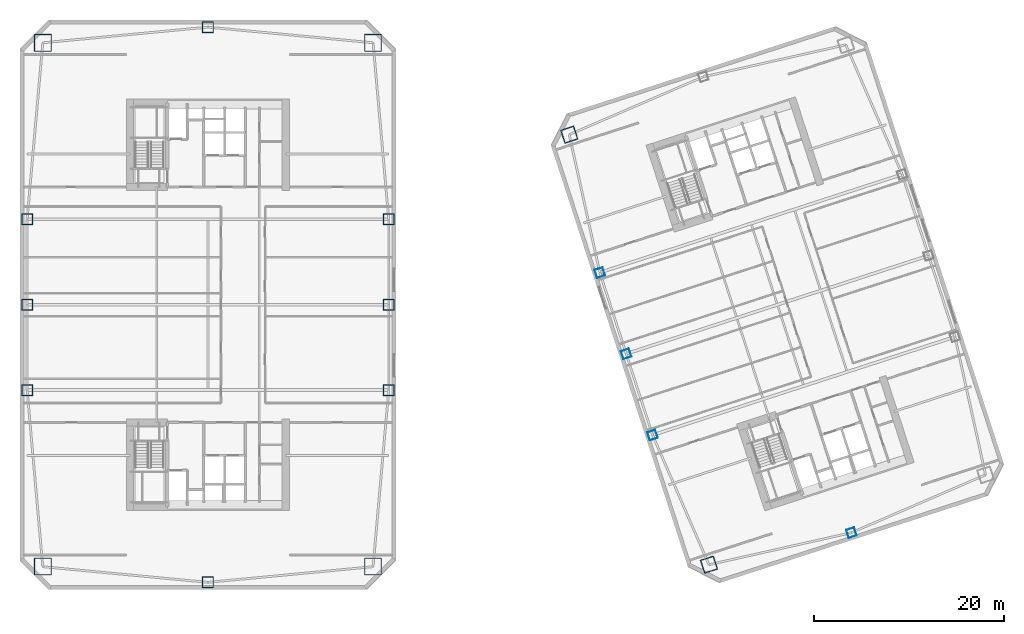
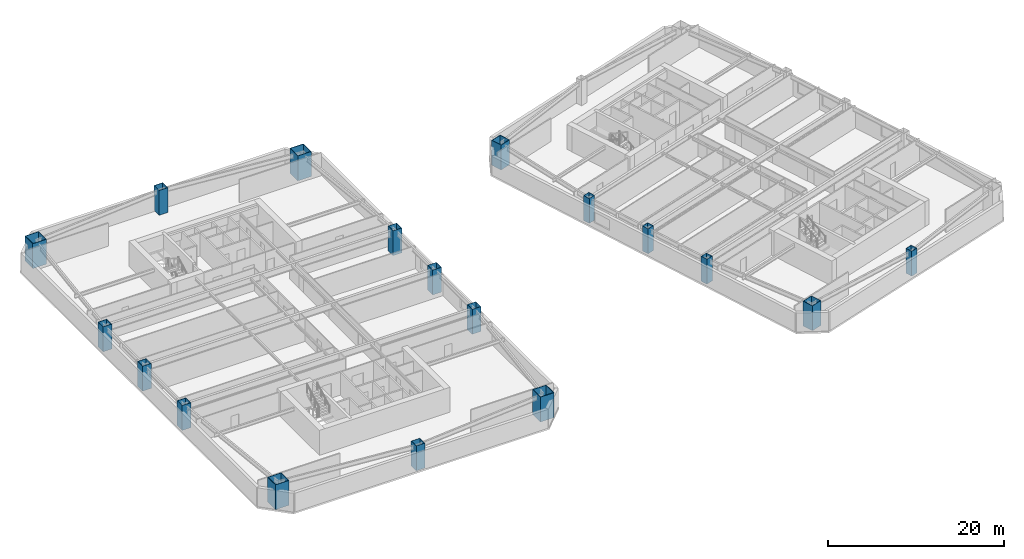
# One storey, part 1 of 13: 18 columns.
"""IFC4 building model written with IfcOpenShell, lengths in metres."""

from ifc_helpers import new_model, si_unit, direction, frame, origin, origin_2d, place, context, subcontext, project, spatial, hollow_rectangle, extrude, material, material_profile, profile_set, type_object, element, save


model = new_model("IFC4")

# Units and contexts
model_context = context("Model", 3, precision=1e-05, world=origin(), true_north=direction((0.0, 1.0)))
body_context = subcontext(model_context, "Body", "Model", "MODEL_VIEW")
ifc_project = project(units=[si_unit("LENGTHUNIT", "METRE"), si_unit("AREAUNIT", "SQUARE_METRE"), si_unit("VOLUMEUNIT", "CUBIC_METRE"), si_unit("PLANEANGLEUNIT", "RADIAN"), si_unit("MASSUNIT", "GRAM", prefix="KILO")], contexts=[model_context])

# Site, building, storey
site_placement = place(None, origin())
site = spatial("IfcSite", under=ifc_project, at=site_placement, CompositionType="ELEMENT")
building_placement = place(site_placement, origin())
building = spatial("IfcBuilding", under=site, at=building_placement, Name="Qiaolan Cultural Towers", CompositionType="ELEMENT")
storey_placement = place(building_placement, frame((0.0, 0.0, 85.10009765625)))
storey = spatial("IfcBuildingStorey", under=building, at=storey_placement, Name="L21", CompositionType="ELEMENT", Elevation=85.10009765625)

# Columns
ifc_material_1 = material(Name="Steel Q390GJB", Category="steel")
ifc_material_profile_1 = material_profile(ifc_material_1, hollow_rectangle(XDim=1.14990234375, YDim=1.14990234375, WallThickness=0.0400390625, at=origin_2d()), Name="BOX1150x1150x40")
ifc_profile_set_1 = profile_set([ifc_material_profile_1], Name="Steel Q390GJB")
column_type_1 = type_object("IfcColumnType", Name="COL-BOX1150x1150x40", PredefinedType="COLUMN", material=ifc_profile_set_1)
for number, where, z_axis, x_axis, name in (
    (1, (10.949951171875, 25.0, 0.0), (0.0, 0.0, 1.0), (1.0, 0.0, 0.0), "L21 T1 Perimeter Column PC-W1"),
    (2, (10.949951171875, 34.0, 0.0), (0.0, 0.0, 1.0), (1.0, 0.0, 0.0), "L21 T1 Perimeter Column PC-W2"),
    (3, (10.949951171875, 43.0, 0.0), (0.0, 0.0, 1.0), (1.0, 0.0, 0.0), "L21 T1 Perimeter Column PC-W3"),
    (4, (49.050048828125, 25.0, 0.0), (0.0, 0.0, 1.0), (1.0, 0.0, 0.0), "L21 T1 Perimeter Column PC-E1"),
    (5, (49.050048828125, 34.0, 0.0), (0.0, 0.0, 1.0), (1.0, 0.0, 0.0), "L21 T1 Perimeter Column PC-E2"),
    (6, (49.050048828125, 43.0, 0.0), (0.0, 0.0, 1.0), (1.0, 0.0, 0.0), "L21 T1 Perimeter Column PC-E3"),
    (7, (30.0, 4.75, 0.0), (0.0, 0.0, 1.0), (1.0, 0.0, 0.0), "L21 T1 Perimeter Column PC-S0"),
    (8, (30.0, 63.25, 0.0), (0.0, 0.0, 1.0), (1.0, 0.0, 0.0), "L21 T1 Perimeter Column PC-N0"),
):
    element("IfcColumn", number, at=place(storey_placement, frame(where, z_axis=z_axis, x_axis=x_axis)), inside=storey, type_object=column_type_1, Name=name, PredefinedType="COLUMN", context=body_context, shape_type="SweptSolid", body=[
        extrude(hollow_rectangle(XDim=1.14990234375, YDim=1.14990234375, WallThickness=0.0400390625, at=origin_2d()), origin(), (0.0, 0.0, 1.0), 3.450927734375),
    ])
ifc_material_2 = material(Name="Steel Q420GJB", Category="steel")
ifc_material_profile_2 = material_profile(ifc_material_2, hollow_rectangle(XDim=1.449951171875, YDim=1.449951171875, WallThickness=0.050048828125, at=origin_2d()), Name="BOX1450x1450x50")
ifc_profile_set_2 = profile_set([ifc_material_profile_2], Name="Steel Q420GJB")
column_type_2 = type_object("IfcColumnType", Name="COL-BOX1450x1450x50", PredefinedType="COLUMN", material=ifc_profile_set_2)
for number, where, z_axis, x_axis, name in (
    (9, (82.79052734375, 6.611572265625, 0.0), (0.0, 0.0, 1.0), (0.951056516295, 0.309016994375, 0.0), "L21 T2 Perimeter Column MC-SW"),
    (10, (68.069091796875, 51.919921875, 0.0), (0.0, 0.0, 1.0), (0.951056516295, 0.309016994375, 0.0), "L21 T2 Perimeter Column MC-NW"),
):
    element("IfcColumn", number, at=place(storey_placement, frame(where, z_axis=z_axis, x_axis=x_axis)), inside=storey, type_object=column_type_2, Name=name, PredefinedType="COLUMN", context=body_context, shape_type="SweptSolid", body=[
        extrude(hollow_rectangle(XDim=1.449951171875, YDim=1.449951171875, WallThickness=0.050048828125, at=origin_2d()), origin(), (0.0, 0.0, 1.0), 3.450927734375),
    ])
ifc_material_3 = material(Name="Steel Q420GJB", Category="steel")
ifc_material_profile_3 = material_profile(ifc_material_3, hollow_rectangle(XDim=1.800048828125, YDim=1.800048828125, WallThickness=0.06005859375, at=origin_2d()), Name="BOX1800x1800x60")
ifc_profile_set_3 = profile_set([ifc_material_profile_3], Name="Steel Q420GJB")
column_type_3 = type_object("IfcColumnType", Name="COL-BOX1800x1800x60", PredefinedType="COLUMN", material=ifc_profile_set_3)
for number, where, z_axis, x_axis, name in (
    (11, (12.60009765625, 6.39990234375, 0.0), (0.0, 0.0, 1.0), (1.0, 0.0, 0.0), "L21 T1 Perimeter Column MC-SW"),
    (12, (47.39990234375, 6.39990234375, 0.0), (0.0, 0.0, 1.0), (1.0, 0.0, 0.0), "L21 T1 Perimeter Column MC-SE"),
    (13, (47.39990234375, 61.60009765625, 0.0), (0.0, 0.0, 1.0), (1.0, 0.0, 0.0), "L21 T1 Perimeter Column MC-NE"),
    (14, (12.60009765625, 61.60009765625, 0.0), (0.0, 0.0, 1.0), (1.0, 0.0, 0.0), "L21 T1 Perimeter Column MC-NW"),
):
    element("IfcColumn", number, at=place(storey_placement, frame(where, z_axis=z_axis, x_axis=x_axis)), inside=storey, type_object=column_type_3, Name=name, PredefinedType="COLUMN", context=body_context, shape_type="SweptSolid", body=[
        extrude(hollow_rectangle(XDim=1.800048828125, YDim=1.800048828125, WallThickness=0.06005859375, at=origin_2d()), origin(), (0.0, 0.0, 1.0), 3.450927734375),
    ])
ifc_material_4 = material(Name="Steel Q355B", Category="steel")
ifc_material_profile_4 = material_profile(ifc_material_4, hollow_rectangle(XDim=0.89990234375, YDim=0.89990234375, WallThickness=0.031982421875, at=origin_2d()), Name="BOX900x900x32")
ifc_profile_set_4 = profile_set([ifc_material_profile_4], Name="Steel Q355B")
column_type_4 = type_object("IfcColumnType", Name="COL-BOX900x900x32", PredefinedType="COLUMN", material=ifc_profile_set_4)
for number, where, z_axis, x_axis, name in (
    (15, (76.85107421875, 20.264404296875, 0.0), (0.0, 0.0, 1.0), (0.951056516295, 0.309016994375, 0.0), "L21 T2 Perimeter Column PC-W1"),
    (16, (74.06982421875, 28.823974609375, 0.0), (0.0, 0.0, 1.0), (0.951056516295, 0.309016994375, 0.0), "L21 T2 Perimeter Column PC-W2"),
    (17, (71.28857421875, 37.383544921875, 0.0), (0.0, 0.0, 1.0), (0.951056516295, 0.309016994375, 0.0), "L21 T2 Perimeter Column PC-W3"),
    (18, (97.802734375, 9.98583984375, 0.0), (0.0, 0.0, 1.0), (0.951056516295, 0.309016994375, 0.0), "L21 T2 Perimeter Column PC-S0"),
):
    element("IfcColumn", number, at=place(storey_placement, frame(where, z_axis=z_axis, x_axis=x_axis)), inside=storey, type_object=column_type_4, Name=name, PredefinedType="COLUMN", context=body_context, shape_type="SweptSolid", body=[
        extrude(hollow_rectangle(XDim=0.89990234375, YDim=0.89990234375, WallThickness=0.031982421875, at=origin_2d()), origin(), (0.0, 0.0, 1.0), 3.450927734375),
    ])

save(model, "model.ifc")
